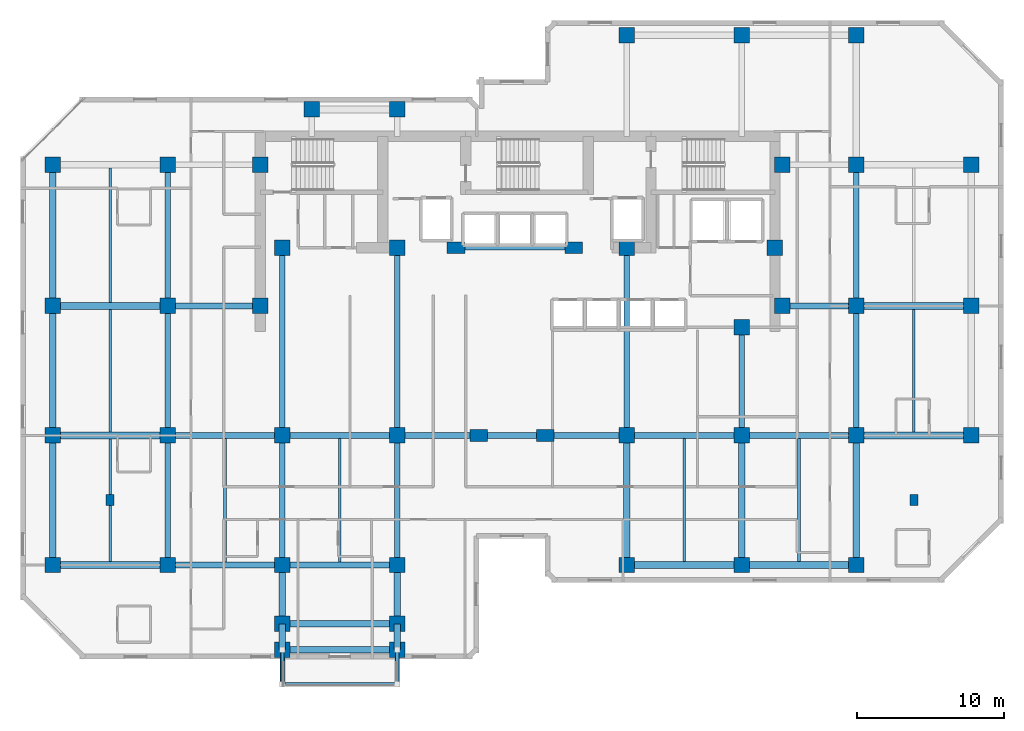
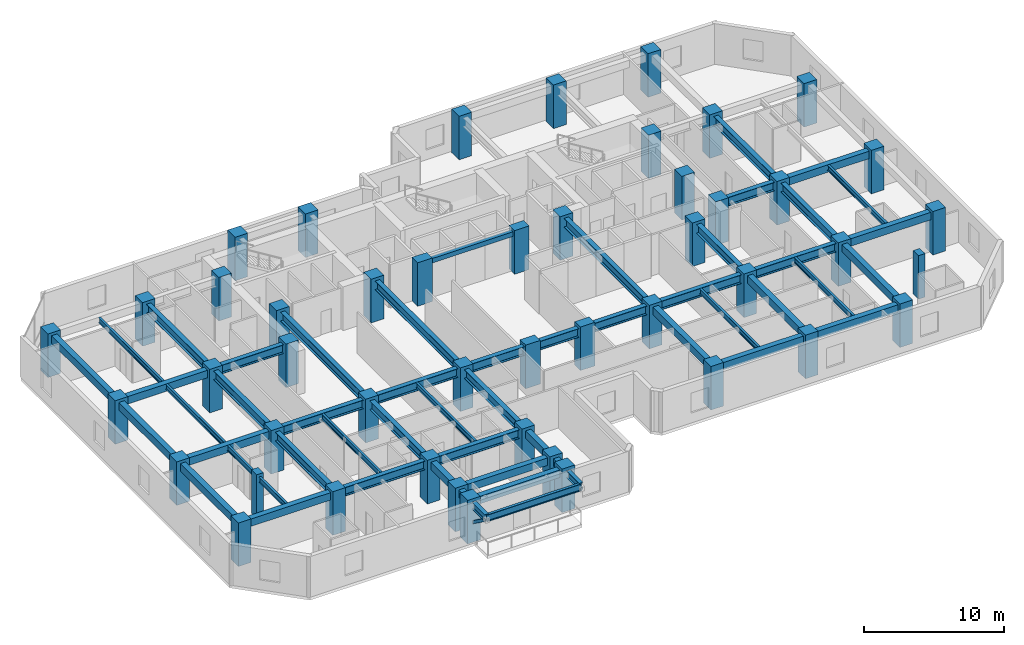
# One storey, part 1 of 11: 53 beams, 47 columns, 2 members.
"""IFC4 building model written with IfcOpenShell, lengths in metres."""

from ifc_helpers import new_model, si_unit, direction, frame, origin, origin_2d, place, context, subcontext, project, spatial, rectangle, hollow_rectangle, i_section, extrude, material, material_profile, profile_set, type_object, element, save


model = new_model("IFC4")

# Units and contexts
model_context = context("Model", 3, precision=1e-05, world=origin(), true_north=direction((0.0, 1.0)))
body_context = subcontext(model_context, "Body", "Model", "MODEL_VIEW")
ifc_project = project(units=[si_unit("LENGTHUNIT", "METRE"), si_unit("AREAUNIT", "SQUARE_METRE"), si_unit("VOLUMEUNIT", "CUBIC_METRE"), si_unit("PLANEANGLEUNIT", "RADIAN"), si_unit("MASSUNIT", "GRAM", prefix="KILO")], contexts=[model_context])

# Site, building, storey
site_placement = place(None, origin())
site = spatial("IfcSite", under=ifc_project, at=site_placement, CompositionType="ELEMENT")
building_placement = place(site_placement, origin())
building = spatial("IfcBuilding", under=site, at=building_placement, Name="Kestravale Grand Hotel", CompositionType="ELEMENT")
storey_placement = place(building_placement, frame((0.0, 0.0, 168.800048828125)))
storey = spatial("IfcBuildingStorey", under=building, at=storey_placement, Name="L42", CompositionType="ELEMENT", Elevation=168.800048828125)

# Columns
ifc_material_1 = material(Name="Concrete f'c 60 MPa", Category="concrete")
ifc_material_profile_1 = material_profile(ifc_material_1, rectangle(XDim=1.050048828125, YDim=1.050048828125, at=origin_2d()))
ifc_profile_set_1 = profile_set([ifc_material_profile_1], Name="Concrete f'c 60 MPa")
column_type_1 = type_object("IfcColumnType", Name="C-Z3-1050", PredefinedType="COLUMN", material=ifc_profile_set_1)
for number, where, z_axis, x_axis, name in (
    (1, (7.800048828125, 11.199951171875, 0.0), (0.0, 0.0, 1.0), (1.0, 0.0, 0.0), "L42 column 2-C"),
    (2, (7.800048828125, 20.0, 0.0), (0.0, 0.0, 1.0), (1.0, 0.0, 0.0), "L42 column 2-D"),
    (3, (7.800048828125, 28.800048828125, 0.0), (0.0, 0.0, 1.0), (1.0, 0.0, 0.0), "L42 column 2-E"),
    (4, (7.800048828125, 38.39990234375, 0.0), (0.0, 0.0, 1.0), (1.0, 0.0, 0.0), "L42 column 2-F"),
    (5, (15.60009765625, 11.199951171875, 0.0), (0.0, 0.0, 1.0), (1.0, 0.0, 0.0), "L42 column 3-C"),
    (6, (15.60009765625, 20.0, 0.0), (0.0, 0.0, 1.0), (1.0, 0.0, 0.0), "L42 column 3-D"),
    (7, (15.60009765625, 28.800048828125, 0.0), (0.0, 0.0, 1.0), (1.0, 0.0, 0.0), "L42 column 3-E"),
    (8, (15.60009765625, 38.39990234375, 0.0), (0.0, 0.0, 1.0), (1.0, 0.0, 0.0), "L42 column 3-F"),
    (9, (23.39990234375, 11.199951171875, 0.0), (0.0, 0.0, 1.0), (1.0, 0.0, 0.0), "L42 column 4-C"),
    (10, (23.39990234375, 20.0, 0.0), (0.0, 0.0, 1.0), (1.0, 0.0, 0.0), "L42 column 4-D"),
    (11, (31.199951171875, 11.199951171875, 0.0), (0.0, 0.0, 1.0), (1.0, 0.0, 0.0), "L42 column 5-C"),
    (12, (31.199951171875, 20.0, 0.0), (0.0, 0.0, 1.0), (1.0, 0.0, 0.0), "L42 column 5-D"),
    (13, (46.800048828125, 11.199951171875, 0.0), (0.0, 0.0, 1.0), (1.0, 0.0, 0.0), "L42 column 8-C"),
    (14, (46.800048828125, 20.0, 0.0), (0.0, 0.0, 1.0), (1.0, 0.0, 0.0), "L42 column 8-D"),
    (15, (46.800048828125, 47.199951171875, 0.0), (0.0, 0.0, 1.0), (1.0, 0.0, 0.0), "L42 column 8-G"),
    (16, (54.60009765625, 11.199951171875, 0.0), (0.0, 0.0, 1.0), (1.0, 0.0, 0.0), "L42 column 9-C"),
    (17, (54.60009765625, 20.0, 0.0), (0.0, 0.0, 1.0), (1.0, 0.0, 0.0), "L42 column 9-D"),
    (18, (54.60009765625, 47.199951171875, 0.0), (0.0, 0.0, 1.0), (1.0, 0.0, 0.0), "L42 column 9-G"),
    (19, (62.39990234375, 11.199951171875, 0.0), (0.0, 0.0, 1.0), (1.0, 0.0, 0.0), "L42 column 10-C"),
    (20, (62.39990234375, 20.0, 0.0), (0.0, 0.0, 1.0), (1.0, 0.0, 0.0), "L42 column 10-D"),
    (21, (62.39990234375, 28.800048828125, 0.0), (0.0, 0.0, 1.0), (1.0, 0.0, 0.0), "L42 column 10-E"),
    (22, (62.39990234375, 38.39990234375, 0.0), (0.0, 0.0, 1.0), (1.0, 0.0, 0.0), "L42 column 10-F"),
    (23, (62.39990234375, 47.199951171875, 0.0), (0.0, 0.0, 1.0), (1.0, 0.0, 0.0), "L42 column 10-G"),
    (24, (70.199951171875, 20.0, 0.0), (0.0, 0.0, 1.0), (1.0, 0.0, 0.0), "L42 column 11-D"),
    (25, (70.199951171875, 28.800048828125, 0.0), (0.0, 0.0, 1.0), (1.0, 0.0, 0.0), "L42 column 11-E"),
    (26, (70.199951171875, 38.39990234375, 0.0), (0.0, 0.0, 1.0), (1.0, 0.0, 0.0), "L42 column 11-F"),
    (27, (21.89990234375, 28.800048828125, 0.0), (0.0, 0.0, 1.0), (1.0, 0.0, 0.0), "L42 column CW-E"),
    (28, (21.89990234375, 38.39990234375, 0.0), (0.0, 0.0, 1.0), (1.0, 0.0, 0.0), "L42 column CW-F"),
    (29, (57.35009765625, 28.800048828125, 0.0), (0.0, 0.0, 1.0), (1.0, 0.0, 0.0), "L42 column CE-E"),
    (30, (57.35009765625, 38.39990234375, 0.0), (0.0, 0.0, 1.0), (1.0, 0.0, 0.0), "L42 column CE-F"),
    (31, (23.39990234375, 32.75, 0.0), (0.0, 0.0, 1.0), (1.0, 0.0, 0.0), "L42 column 4-CS"),
    (32, (31.199951171875, 32.75, 0.0), (0.0, 0.0, 1.0), (1.0, 0.0, 0.0), "L42 column 5-CS"),
    (33, (46.800048828125, 32.75, 0.0), (0.0, 0.0, 1.0), (1.0, 0.0, 0.0), "L42 column 8-CS"),
    (34, (54.60009765625, 27.35009765625, 0.0), (0.0, 0.0, 1.0), (1.0, 0.0, 0.0), "L42 column 9-CS"),
    (35, (56.85009765625, 32.75, 0.0), (0.0, 0.0, 1.0), (1.0, 0.0, 0.0), "L42 column 9C-CS"),
    (36, (23.39990234375, 7.199951171875, 0.0), (0.0, 0.0, 1.0), (1.0, 0.0, 0.0), "L42 column 4-BS"),
    (37, (31.199951171875, 7.199951171875, 0.0), (0.0, 0.0, 1.0), (1.0, 0.0, 0.0), "L42 column 5-BS"),
    (38, (25.39990234375, 42.14990234375, 0.0), (0.0, 0.0, 1.0), (1.0, 0.0, 0.0), "L42 column 4-FN"),
    (39, (31.199951171875, 42.14990234375, 0.0), (0.0, 0.0, 1.0), (1.0, 0.0, 0.0), "L42 column 5-FN"),
    (40, (23.39990234375, 5.449951171875, 0.0), (0.0, 0.0, 1.0), (1.0, 0.0, 0.0), "L42 column 4-B1S"),
    (41, (31.199951171875, 5.449951171875, 0.0), (0.0, 0.0, 1.0), (1.0, 0.0, 0.0), "L42 column 5-B1S"),
):
    element("IfcColumn", number, at=place(storey_placement, frame(where, z_axis=z_axis, x_axis=x_axis)), inside=storey, type_object=column_type_1, Name=name, PredefinedType="COLUMN", context=body_context, shape_type="SweptSolid", body=[
        extrude(rectangle(XDim=1.050048828125, YDim=1.050048828125, at=origin_2d()), origin(), (0.0, 0.0, 1.0), 3.800048828125),
    ])
ifc_material_2 = material(Name="Concrete f'c 60 MPa", Category="concrete")
ifc_material_profile_2 = material_profile(ifc_material_2, rectangle(XDim=1.199951171875, YDim=0.800048828125, at=origin_2d()))
ifc_profile_set_2 = profile_set([ifc_material_profile_2], Name="Concrete f'c 60 MPa")
column_type_2 = type_object("IfcColumnType", Name="C-Z3-1200X800", PredefinedType="COLUMN", material=ifc_profile_set_2)
for number, where, z_axis, x_axis, name in (
    (42, (36.75, 20.0, 0.0), (0.0, 0.0, 1.0), (1.0, 0.0, 0.0), "L42 column 6-D"),
    (43, (41.25, 20.0, 0.0), (0.0, 0.0, 1.0), (1.0, 0.0, 0.0), "L42 column 7-D"),
    (44, (35.199951171875, 32.75, 0.0), (0.0, 0.0, 1.0), (1.0, 0.0, 0.0), "L42 column 6C-CS"),
    (45, (43.199951171875, 32.75, 0.0), (0.0, 0.0, 1.0), (1.0, 0.0, 0.0), "L42 column 7C-CS"),
):
    element("IfcColumn", number, at=place(storey_placement, frame(where, z_axis=z_axis, x_axis=x_axis)), inside=storey, type_object=column_type_2, Name=name, PredefinedType="COLUMN", context=body_context, shape_type="SweptSolid", body=[
        extrude(rectangle(XDim=1.199951171875, YDim=0.800048828125, at=origin_2d()), origin(), (0.0, 0.0, 1.0), 3.800048828125),
    ])
ifc_material_3 = material(Name="Precast concrete f'c 45 MPa", Category="concrete")
ifc_material_profile_3 = material_profile(ifc_material_3, rectangle(XDim=0.550048828125, YDim=0.75, at=origin_2d()))
ifc_profile_set_3 = profile_set([ifc_material_profile_3], Name="Precast concrete f'c 45 MPa")
column_type_3 = type_object("IfcColumnType", Name="C-Z3-PIL750", PredefinedType="PILASTER", material=ifc_profile_set_3)
for number, where, z_axis, x_axis, name in (
    (46, (11.699951171875, 15.60009765625, 0.0), (0.0, 0.0, 1.0), (1.0, 0.0, 0.0), "L42 Art Deco fluted pilaster P1"),
    (47, (66.300048828125, 15.60009765625, 0.0), (0.0, 0.0, 1.0), (1.0, 0.0, 0.0), "L42 Art Deco fluted pilaster P2"),
):
    element("IfcColumn", number, at=place(storey_placement, frame(where, z_axis=z_axis, x_axis=x_axis)), inside=storey, type_object=column_type_3, Name=name, PredefinedType="PILASTER", context=body_context, shape_type="SweptSolid", body=[
        extrude(rectangle(XDim=0.550048828125, YDim=0.75, at=origin_2d()), origin(), (0.0, 0.0, 1.0), 3.800048828125),
    ])

# Beams
ifc_material_4 = material(Name="Steel ASTM A992 Grade 50", Category="steel")
ifc_material_profile_4 = material_profile(ifc_material_4, i_section(OverallWidth=0.19091796875, OverallDepth=0.45703125, WebThickness=0.009033203125, FlangeThickness=0.014404296875, FilletRadius=0.015380859375, at=origin_2d()))
ifc_profile_set_4 = profile_set([ifc_material_profile_4], Name="Steel ASTM A992 Grade 50")
beam_type_1 = type_object("IfcBeamType", Name="B-FLR-JST18", PredefinedType="JOIST", material=ifc_profile_set_4)
for number, where, z_axis, x_axis, name in (
    (48, (11.699951171875, 11.425048828125, 3.321533203125), (0.0, 1.0, 0.0), (-1.0, 0.0, 0.0), "L42 floor joist 2-3/C-D #1"),
    (49, (11.699951171875, 20.22509765625, 3.321533203125), (0.0, 1.0, 0.0), (-1.0, 0.0, 0.0), "L42 floor joist 2-3/D-E #1"),
):
    element("IfcBeam", number, at=place(storey_placement, frame(where, z_axis=z_axis, x_axis=x_axis)), inside=storey, type_object=beam_type_1, Name=name, PredefinedType="JOIST", context=body_context, shape_type="SweptSolid", body=[
        extrude(i_section(OverallWidth=0.19091796875, OverallDepth=0.45703125, WebThickness=0.009033203125, FlangeThickness=0.014404296875, FilletRadius=0.015380859375, at=origin_2d()), origin(), (0.0, 0.0, 1.0), 8.349853515625),
    ])
beam_1_placement = place(storey_placement, frame((11.699951171875, 29.02490234375, 3.321533203125), z_axis=(0.0, 1.0, 0.0), x_axis=(-1.0, 0.0, 0.0)))
element("IfcBeam", 50, at=beam_1_placement, inside=storey, type_object=beam_type_1, Name="L42 floor joist 2-3/E-F #1", PredefinedType="JOIST", context=body_context, shape_type="SweptSolid", body=[
    extrude(i_section(OverallWidth=0.19091796875, OverallDepth=0.45703125, WebThickness=0.009033203125, FlangeThickness=0.014404296875, FilletRadius=0.015380859375, at=origin_2d()), origin(), (0.0, 0.0, 1.0), 9.150146484375),
])
for number, where, z_axis, x_axis, name in (
    (51, (19.5, 11.390380859375, 3.321533203125), (0.0, 1.0, 0.0), (-1.0, 0.0, 0.0), "L42 floor joist 3-4/C-D #1"),
    (52, (27.300048828125, 11.390380859375, 3.321533203125), (0.0, 1.0, 0.0), (-1.0, 0.0, 0.0), "L42 floor joist 4-5/C-D #1"),
):
    element("IfcBeam", number, at=place(storey_placement, frame(where, z_axis=z_axis, x_axis=x_axis)), inside=storey, type_object=beam_type_1, Name=name, PredefinedType="JOIST", context=body_context, shape_type="SweptSolid", body=[
        extrude(i_section(OverallWidth=0.19091796875, OverallDepth=0.45703125, WebThickness=0.009033203125, FlangeThickness=0.014404296875, FilletRadius=0.015380859375, at=origin_2d()), origin(), (0.0, 0.0, 1.0), 8.419189453125),
    ])
for number, where, z_axis, x_axis, name in (
    (53, (50.699951171875, 11.425048828125, 3.321533203125), (0.0, 1.0, 0.0), (-1.0, 0.0, 0.0), "L42 floor joist 8-9/C-D #1"),
    (54, (58.5, 11.425048828125, 3.321533203125), (0.0, 1.0, 0.0), (-1.0, 0.0, 0.0), "L42 floor joist 9-10/C-D #1"),
):
    element("IfcBeam", number, at=place(storey_placement, frame(where, z_axis=z_axis, x_axis=x_axis)), inside=storey, type_object=beam_type_1, Name=name, PredefinedType="JOIST", context=body_context, shape_type="SweptSolid", body=[
        extrude(i_section(OverallWidth=0.19091796875, OverallDepth=0.45703125, WebThickness=0.009033203125, FlangeThickness=0.014404296875, FilletRadius=0.015380859375, at=origin_2d()), origin(), (0.0, 0.0, 1.0), 8.384521484375),
    ])
beam_2_placement = place(storey_placement, frame((66.300048828125, 20.22509765625, 3.321533203125), z_axis=(0.0, 1.0, 0.0), x_axis=(-1.0, 0.0, 0.0)))
element("IfcBeam", 55, at=beam_2_placement, inside=storey, type_object=beam_type_1, Name="L42 floor joist 10-11/D-E #1", PredefinedType="JOIST", context=body_context, shape_type="SweptSolid", body=[
    extrude(i_section(OverallWidth=0.19091796875, OverallDepth=0.45703125, WebThickness=0.009033203125, FlangeThickness=0.014404296875, FilletRadius=0.015380859375, at=origin_2d()), origin(), (0.0, 0.0, 1.0), 8.349853515625),
])
ifc_material_5 = material(Name="Concrete f'c 45 MPa", Category="concrete")
ifc_material_profile_5 = material_profile(ifc_material_5, rectangle(XDim=0.300048828125, YDim=0.39990234375, at=origin_2d()))
ifc_profile_set_5 = profile_set([ifc_material_profile_5], Name="Concrete f'c 45 MPa")
beam_type_2 = type_object("IfcBeamType", Name="B-FLR-LNT400", PredefinedType="LINTEL", material=ifc_profile_set_5)
beam_3_placement = place(storey_placement, frame((35.199951171875, 32.75, 3.349853515625), z_axis=(1.0, 0.0, 0.0), x_axis=(0.0, 1.0, 0.0)))
element("IfcBeam", 56, at=beam_3_placement, inside=storey, type_object=beam_type_2, Name="L42 core portal header lintel", PredefinedType="LINTEL", context=body_context, shape_type="SweptSolid", body=[
    extrude(rectangle(XDim=0.300048828125, YDim=0.39990234375, at=origin_2d()), origin(), (0.0, 0.0, 1.0), 8.0),
])
ifc_material_6 = material(Name="Concrete f'c 45 MPa", Category="concrete")
ifc_material_profile_6 = material_profile(ifc_material_6, rectangle(XDim=0.449951171875, YDim=0.64990234375, at=origin_2d()))
ifc_profile_set_6 = profile_set([ifc_material_profile_6], Name="Concrete f'c 45 MPa")
beam_type_3 = type_object("IfcBeamType", Name="B-FLR-RC650", PredefinedType="SPANDREL", material=ifc_profile_set_6)
for number, where, z_axis, x_axis, name in (
    (57, (7.800048828125, 11.199951171875, 3.224853515625), (1.0, 0.0, 0.0), (0.0, 1.0, 0.0), "L42 spandrel C:2-3"),
    (58, (46.800048828125, 11.199951171875, 3.224853515625), (1.0, 0.0, 0.0), (0.0, 1.0, 0.0), "L42 spandrel C:8-9"),
):
    element("IfcBeam", number, at=place(storey_placement, frame(where, z_axis=z_axis, x_axis=x_axis)), inside=storey, type_object=beam_type_3, Name=name, PredefinedType="SPANDREL", context=body_context, shape_type="SweptSolid", body=[
        extrude(rectangle(XDim=0.449951171875, YDim=0.64990234375, at=origin_2d()), origin(), (0.0, 0.0, 1.0), 7.800048828125),
    ])
beam_4_placement = place(storey_placement, frame((54.60009765625, 11.199951171875, 3.224853515625), z_axis=(1.0, 0.0, 0.0), x_axis=(0.0, 1.0, 0.0)))
element("IfcBeam", 59, at=beam_4_placement, inside=storey, type_object=beam_type_3, Name="L42 spandrel C:9-10", PredefinedType="SPANDREL", context=body_context, shape_type="SweptSolid", body=[
    extrude(rectangle(XDim=0.449951171875, YDim=0.64990234375, at=origin_2d()), origin(), (0.0, 0.0, 1.0), 7.7998046875),
])
for number, where, z_axis, x_axis, name in (
    (60, (7.800048828125, 20.0, 3.224853515625), (1.0, 0.0, 0.0), (0.0, 1.0, 0.0), "L42 spandrel D:2-3"),
    (61, (62.39990234375, 20.0, 3.224853515625), (1.0, 0.0, 0.0), (0.0, 1.0, 0.0), "L42 spandrel D:10-11"),
    (62, (7.800048828125, 28.800048828125, 3.224853515625), (1.0, 0.0, 0.0), (0.0, 1.0, 0.0), "L42 spandrel E:2-3"),
    (63, (62.39990234375, 28.800048828125, 3.224853515625), (1.0, 0.0, 0.0), (0.0, 1.0, 0.0), "L42 spandrel E:10-11"),
    (64, (23.39990234375, 5.449951171875, 3.224853515625), (1.0, 0.0, 0.0), (0.0, 1.0, 0.0), "L42 perimeter tie spandrel B1S:4-5"),
    (65, (23.39990234375, 7.199951171875, 3.224853515625), (1.0, 0.0, 0.0), (0.0, 1.0, 0.0), "L42 perimeter tie spandrel BS:4-5"),
):
    element("IfcBeam", number, at=place(storey_placement, frame(where, z_axis=z_axis, x_axis=x_axis)), inside=storey, type_object=beam_type_3, Name=name, PredefinedType="SPANDREL", context=body_context, shape_type="SweptSolid", body=[
        extrude(rectangle(XDim=0.449951171875, YDim=0.64990234375, at=origin_2d()), origin(), (0.0, 0.0, 1.0), 7.800048828125),
    ])
for number, where, z_axis, x_axis, name in (
    (66, (7.800048828125, 11.199951171875, 3.224853515625), (0.0, 1.0, 0.0), (-1.0, 0.0, 0.0), "L42 spandrel 2:C-D"),
    (67, (7.800048828125, 20.0, 3.224853515625), (0.0, 1.0, 0.0), (-1.0, 0.0, 0.0), "L42 spandrel 2:D-E"),
):
    element("IfcBeam", number, at=place(storey_placement, frame(where, z_axis=z_axis, x_axis=x_axis)), inside=storey, type_object=beam_type_3, Name=name, PredefinedType="SPANDREL", context=body_context, shape_type="SweptSolid", body=[
        extrude(rectangle(XDim=0.449951171875, YDim=0.64990234375, at=origin_2d()), origin(), (0.0, 0.0, 1.0), 8.800048828125),
    ])
beam_5_placement = place(storey_placement, frame((7.800048828125, 28.800048828125, 3.224853515625), z_axis=(0.0, 1.0, 0.0), x_axis=(-1.0, 0.0, 0.0)))
element("IfcBeam", 68, at=beam_5_placement, inside=storey, type_object=beam_type_3, Name="L42 spandrel 2:E-F", PredefinedType="SPANDREL", context=body_context, shape_type="SweptSolid", body=[
    extrude(rectangle(XDim=0.449951171875, YDim=0.64990234375, at=origin_2d()), origin(), (0.0, 0.0, 1.0), 9.599853515625),
])
beam_6_placement = place(storey_placement, frame((23.39990234375, 5.449951171875, 3.224853515625), z_axis=(0.0, 1.0, 0.0), x_axis=(-1.0, 0.0, 0.0)))
element("IfcBeam", 69, at=beam_6_placement, inside=storey, type_object=beam_type_3, Name="L42 spandrel 4:B1S-BS", PredefinedType="SPANDREL", context=body_context, shape_type="SweptSolid", body=[
    extrude(rectangle(XDim=0.449951171875, YDim=0.64990234375, at=origin_2d()), origin(), (0.0, 0.0, 1.0), 1.75),
])
beam_7_placement = place(storey_placement, frame((23.39990234375, 7.199951171875, 3.224853515625), z_axis=(0.0, 1.0, 0.0), x_axis=(-1.0, 0.0, 0.0)))
element("IfcBeam", 70, at=beam_7_placement, inside=storey, type_object=beam_type_3, Name="L42 spandrel 4:BS-C", PredefinedType="SPANDREL", context=body_context, shape_type="SweptSolid", body=[
    extrude(rectangle(XDim=0.449951171875, YDim=0.64990234375, at=origin_2d()), origin(), (0.0, 0.0, 1.0), 4.0),
])
beam_8_placement = place(storey_placement, frame((31.199951171875, 5.449951171875, 3.224853515625), z_axis=(0.0, 1.0, 0.0), x_axis=(-1.0, 0.0, 0.0)))
element("IfcBeam", 71, at=beam_8_placement, inside=storey, type_object=beam_type_3, Name="L42 spandrel 5:B1S-BS", PredefinedType="SPANDREL", context=body_context, shape_type="SweptSolid", body=[
    extrude(rectangle(XDim=0.449951171875, YDim=0.64990234375, at=origin_2d()), origin(), (0.0, 0.0, 1.0), 1.75),
])
beam_9_placement = place(storey_placement, frame((31.199951171875, 7.199951171875, 3.224853515625), z_axis=(0.0, 1.0, 0.0), x_axis=(-1.0, 0.0, 0.0)))
element("IfcBeam", 72, at=beam_9_placement, inside=storey, type_object=beam_type_3, Name="L42 spandrel 5:BS-C", PredefinedType="SPANDREL", context=body_context, shape_type="SweptSolid", body=[
    extrude(rectangle(XDim=0.449951171875, YDim=0.64990234375, at=origin_2d()), origin(), (0.0, 0.0, 1.0), 4.0),
])
for number, where, z_axis, x_axis, name in (
    (73, (46.800048828125, 11.199951171875, 3.224853515625), (0.0, 1.0, 0.0), (-1.0, 0.0, 0.0), "L42 spandrel 8:C-D"),
    (74, (54.60009765625, 11.199951171875, 3.224853515625), (0.0, 1.0, 0.0), (-1.0, 0.0, 0.0), "L42 spandrel 9:C-D"),
    (75, (62.39990234375, 11.199951171875, 3.224853515625), (0.0, 1.0, 0.0), (-1.0, 0.0, 0.0), "L42 spandrel 10:C-D"),
):
    element("IfcBeam", number, at=place(storey_placement, frame(where, z_axis=z_axis, x_axis=x_axis)), inside=storey, type_object=beam_type_3, Name=name, PredefinedType="SPANDREL", context=body_context, shape_type="SweptSolid", body=[
        extrude(rectangle(XDim=0.449951171875, YDim=0.64990234375, at=origin_2d()), origin(), (0.0, 0.0, 1.0), 8.800048828125),
    ])
ifc_material_7 = material(Name="Steel ASTM A992 Grade 50", Category="steel")
ifc_material_profile_7 = material_profile(ifc_material_7, i_section(OverallWidth=0.324951171875, OverallDepth=0.612060546875, WebThickness=0.0126953125, FlangeThickness=0.01904296875, FilletRadius=0.018798828125, at=origin_2d()))
ifc_profile_set_7 = profile_set([ifc_material_profile_7], Name="Steel ASTM A992 Grade 50")
beam_type_4 = type_object("IfcBeamType", Name="B-FLR-W24A", PredefinedType="SPANDREL", material=ifc_profile_set_7)
for number, where, z_axis, x_axis, name in (
    (76, (23.39990234375, 5.449951171875, 3.223876953125), (0.0, -1.0, 0.0), (1.0, 0.0, 0.0), "L43 terrace cantilever beam 1"),
    (77, (31.199951171875, 5.449951171875, 3.223876953125), (0.0, -1.0, 0.0), (1.0, 0.0, 0.0), "L43 terrace cantilever beam 2"),
):
    element("IfcBeam", number, at=place(storey_placement, frame(where, z_axis=z_axis, x_axis=x_axis)), inside=storey, type_object=beam_type_4, Name=name, PredefinedType="SPANDREL", context=body_context, shape_type="SweptSolid", body=[
        extrude(i_section(OverallWidth=0.324951171875, OverallDepth=0.612060546875, WebThickness=0.0126953125, FlangeThickness=0.01904296875, FilletRadius=0.018798828125, at=origin_2d()), origin(), (0.0, 0.0, 1.0), 2.349853515625),
    ])
ifc_material_8 = material(Name="Steel ASTM A992 Grade 50", Category="steel")
ifc_material_profile_8 = material_profile(ifc_material_8, i_section(OverallWidth=0.22900390625, OverallDepth=0.612060546875, WebThickness=0.011962890625, FlangeThickness=0.01953125, FilletRadius=0.019287109375, at=origin_2d()))
ifc_profile_set_8 = profile_set([ifc_material_profile_8], Name="Steel ASTM A992 Grade 50")
beam_type_5 = type_object("IfcBeamType", Name="B-FLR-W24B", PredefinedType="SPANDREL", material=ifc_profile_set_8)
beam_10_placement = place(storey_placement, frame((23.39990234375, 3.10009765625, 3.223876953125), z_axis=(1.0, 0.0, 0.0), x_axis=(0.0, 1.0, 0.0)))
element("IfcBeam", 78, at=beam_10_placement, inside=storey, type_object=beam_type_5, Name="L43 terrace edge spandrel", PredefinedType="SPANDREL", context=body_context, shape_type="SweptSolid", body=[
    extrude(i_section(OverallWidth=0.22900390625, OverallDepth=0.612060546875, WebThickness=0.011962890625, FlangeThickness=0.01953125, FilletRadius=0.019287109375, at=origin_2d()), origin(), (0.0, 0.0, 1.0), 7.800048828125),
])
ifc_material_9 = material(Name="Steel ASTM A992 Grade 50", Category="steel")
ifc_material_profile_9 = material_profile(ifc_material_9, i_section(OverallWidth=0.381103515625, OverallDepth=0.77197265625, WebThickness=0.0166015625, FlangeThickness=0.027099609375, FilletRadius=0.023681640625, at=origin_2d()))
ifc_profile_set_9 = profile_set([ifc_material_profile_9], Name="Steel ASTM A992 Grade 50")
beam_type_6 = type_object("IfcBeamType", Name="B-GRD-W30", PredefinedType="BEAM", material=ifc_profile_set_9)
beam_11_placement = place(storey_placement, frame((15.60009765625, 11.199951171875, 3.1640625), z_axis=(1.0, 0.0, 0.0), x_axis=(0.0, 1.0, 0.0)))
element("IfcBeam", 79, at=beam_11_placement, inside=storey, type_object=beam_type_6, Name="L42 girder C:3-4", PredefinedType="BEAM", context=body_context, shape_type="SweptSolid", body=[
    extrude(i_section(OverallWidth=0.381103515625, OverallDepth=0.77197265625, WebThickness=0.0166015625, FlangeThickness=0.027099609375, FilletRadius=0.023681640625, at=origin_2d()), origin(), (0.0, 0.0, 1.0), 7.7998046875),
])
beam_12_placement = place(storey_placement, frame((23.39990234375, 11.199951171875, 3.1640625), z_axis=(1.0, 0.0, 0.0), x_axis=(0.0, 1.0, 0.0)))
element("IfcBeam", 80, at=beam_12_placement, inside=storey, type_object=beam_type_6, Name="L42 girder C:4-5", PredefinedType="BEAM", context=body_context, shape_type="SweptSolid", body=[
    extrude(i_section(OverallWidth=0.381103515625, OverallDepth=0.77197265625, WebThickness=0.0166015625, FlangeThickness=0.027099609375, FilletRadius=0.023681640625, at=origin_2d()), origin(), (0.0, 0.0, 1.0), 7.800048828125),
])
beam_13_placement = place(storey_placement, frame((15.60009765625, 20.0, 3.1640625), z_axis=(1.0, 0.0, 0.0), x_axis=(0.0, 1.0, 0.0)))
element("IfcBeam", 81, at=beam_13_placement, inside=storey, type_object=beam_type_6, Name="L42 girder D:3-4", PredefinedType="BEAM", context=body_context, shape_type="SweptSolid", body=[
    extrude(i_section(OverallWidth=0.381103515625, OverallDepth=0.77197265625, WebThickness=0.0166015625, FlangeThickness=0.027099609375, FilletRadius=0.023681640625, at=origin_2d()), origin(), (0.0, 0.0, 1.0), 7.7998046875),
])
beam_14_placement = place(storey_placement, frame((23.39990234375, 20.0, 3.1640625), z_axis=(1.0, 0.0, 0.0), x_axis=(0.0, 1.0, 0.0)))
element("IfcBeam", 82, at=beam_14_placement, inside=storey, type_object=beam_type_6, Name="L42 girder D:4-5", PredefinedType="BEAM", context=body_context, shape_type="SweptSolid", body=[
    extrude(i_section(OverallWidth=0.381103515625, OverallDepth=0.77197265625, WebThickness=0.0166015625, FlangeThickness=0.027099609375, FilletRadius=0.023681640625, at=origin_2d()), origin(), (0.0, 0.0, 1.0), 7.800048828125),
])
beam_15_placement = place(storey_placement, frame((31.199951171875, 20.0, 3.1640625), z_axis=(1.0, 0.0, 0.0), x_axis=(0.0, 1.0, 0.0)))
element("IfcBeam", 83, at=beam_15_placement, inside=storey, type_object=beam_type_6, Name="L42 girder D:5-6", PredefinedType="BEAM", context=body_context, shape_type="SweptSolid", body=[
    extrude(i_section(OverallWidth=0.381103515625, OverallDepth=0.77197265625, WebThickness=0.0166015625, FlangeThickness=0.027099609375, FilletRadius=0.023681640625, at=origin_2d()), origin(), (0.0, 0.0, 1.0), 5.550048828125),
])
beam_16_placement = place(storey_placement, frame((36.75, 20.0, 3.1640625), z_axis=(1.0, 0.0, 0.0), x_axis=(0.0, 1.0, 0.0)))
element("IfcBeam", 84, at=beam_16_placement, inside=storey, type_object=beam_type_6, Name="L42 girder D:6-7", PredefinedType="BEAM", context=body_context, shape_type="SweptSolid", body=[
    extrude(i_section(OverallWidth=0.381103515625, OverallDepth=0.77197265625, WebThickness=0.0166015625, FlangeThickness=0.027099609375, FilletRadius=0.023681640625, at=origin_2d()), origin(), (0.0, 0.0, 1.0), 4.5),
])
beam_17_placement = place(storey_placement, frame((41.25, 20.0, 3.1640625), z_axis=(1.0, 0.0, 0.0), x_axis=(0.0, 1.0, 0.0)))
element("IfcBeam", 85, at=beam_17_placement, inside=storey, type_object=beam_type_6, Name="L42 girder D:7-8", PredefinedType="BEAM", context=body_context, shape_type="SweptSolid", body=[
    extrude(i_section(OverallWidth=0.381103515625, OverallDepth=0.77197265625, WebThickness=0.0166015625, FlangeThickness=0.027099609375, FilletRadius=0.023681640625, at=origin_2d()), origin(), (0.0, 0.0, 1.0), 5.550048828125),
])
beam_18_placement = place(storey_placement, frame((46.800048828125, 20.0, 3.1640625), z_axis=(1.0, 0.0, 0.0), x_axis=(0.0, 1.0, 0.0)))
element("IfcBeam", 86, at=beam_18_placement, inside=storey, type_object=beam_type_6, Name="L42 girder D:8-9", PredefinedType="BEAM", context=body_context, shape_type="SweptSolid", body=[
    extrude(i_section(OverallWidth=0.381103515625, OverallDepth=0.77197265625, WebThickness=0.0166015625, FlangeThickness=0.027099609375, FilletRadius=0.023681640625, at=origin_2d()), origin(), (0.0, 0.0, 1.0), 7.800048828125),
])
beam_19_placement = place(storey_placement, frame((54.60009765625, 20.0, 3.1640625), z_axis=(1.0, 0.0, 0.0), x_axis=(0.0, 1.0, 0.0)))
element("IfcBeam", 87, at=beam_19_placement, inside=storey, type_object=beam_type_6, Name="L42 girder D:9-10", PredefinedType="BEAM", context=body_context, shape_type="SweptSolid", body=[
    extrude(i_section(OverallWidth=0.381103515625, OverallDepth=0.77197265625, WebThickness=0.0166015625, FlangeThickness=0.027099609375, FilletRadius=0.023681640625, at=origin_2d()), origin(), (0.0, 0.0, 1.0), 7.7998046875),
])
beam_20_placement = place(storey_placement, frame((15.60009765625, 28.800048828125, 3.1640625), z_axis=(1.0, 0.0, 0.0), x_axis=(0.0, 1.0, 0.0)))
element("IfcBeam", 88, at=beam_20_placement, inside=storey, type_object=beam_type_6, Name="L42 girder E:3-CW", PredefinedType="BEAM", context=body_context, shape_type="SweptSolid", body=[
    extrude(i_section(OverallWidth=0.381103515625, OverallDepth=0.77197265625, WebThickness=0.0166015625, FlangeThickness=0.027099609375, FilletRadius=0.023681640625, at=origin_2d()), origin(), (0.0, 0.0, 1.0), 6.2998046875),
])
beam_21_placement = place(storey_placement, frame((57.35009765625, 28.800048828125, 3.1640625), z_axis=(1.0, 0.0, 0.0), x_axis=(0.0, 1.0, 0.0)))
element("IfcBeam", 89, at=beam_21_placement, inside=storey, type_object=beam_type_6, Name="L42 girder E:CE-10", PredefinedType="BEAM", context=body_context, shape_type="SweptSolid", body=[
    extrude(i_section(OverallWidth=0.381103515625, OverallDepth=0.77197265625, WebThickness=0.0166015625, FlangeThickness=0.027099609375, FilletRadius=0.023681640625, at=origin_2d()), origin(), (0.0, 0.0, 1.0), 5.0498046875),
])
for number, where, z_axis, x_axis, name in (
    (90, (15.60009765625, 11.199951171875, 3.1640625), (0.0, 1.0, 0.0), (-1.0, 0.0, 0.0), "L42 girder 3:C-D"),
    (91, (15.60009765625, 20.0, 3.1640625), (0.0, 1.0, 0.0), (-1.0, 0.0, 0.0), "L42 girder 3:D-E"),
):
    element("IfcBeam", number, at=place(storey_placement, frame(where, z_axis=z_axis, x_axis=x_axis)), inside=storey, type_object=beam_type_6, Name=name, PredefinedType="BEAM", context=body_context, shape_type="SweptSolid", body=[
        extrude(i_section(OverallWidth=0.381103515625, OverallDepth=0.77197265625, WebThickness=0.0166015625, FlangeThickness=0.027099609375, FilletRadius=0.023681640625, at=origin_2d()), origin(), (0.0, 0.0, 1.0), 8.800048828125),
    ])
beam_22_placement = place(storey_placement, frame((15.60009765625, 28.800048828125, 3.1640625), z_axis=(0.0, 1.0, 0.0), x_axis=(-1.0, 0.0, 0.0)))
element("IfcBeam", 92, at=beam_22_placement, inside=storey, type_object=beam_type_6, Name="L42 girder 3:E-F", PredefinedType="BEAM", context=body_context, shape_type="SweptSolid", body=[
    extrude(i_section(OverallWidth=0.381103515625, OverallDepth=0.77197265625, WebThickness=0.0166015625, FlangeThickness=0.027099609375, FilletRadius=0.023681640625, at=origin_2d()), origin(), (0.0, 0.0, 1.0), 9.599853515625),
])
beam_23_placement = place(storey_placement, frame((23.39990234375, 11.199951171875, 3.1640625), z_axis=(0.0, 1.0, 0.0), x_axis=(-1.0, 0.0, 0.0)))
element("IfcBeam", 93, at=beam_23_placement, inside=storey, type_object=beam_type_6, Name="L42 girder 4:C-D", PredefinedType="BEAM", context=body_context, shape_type="SweptSolid", body=[
    extrude(i_section(OverallWidth=0.381103515625, OverallDepth=0.77197265625, WebThickness=0.0166015625, FlangeThickness=0.027099609375, FilletRadius=0.023681640625, at=origin_2d()), origin(), (0.0, 0.0, 1.0), 8.800048828125),
])
beam_24_placement = place(storey_placement, frame((23.39990234375, 20.0, 3.1640625), z_axis=(0.0, 1.0, 0.0), x_axis=(-1.0, 0.0, 0.0)))
element("IfcBeam", 94, at=beam_24_placement, inside=storey, type_object=beam_type_6, Name="L42 girder 4:D-CS", PredefinedType="BEAM", context=body_context, shape_type="SweptSolid", body=[
    extrude(i_section(OverallWidth=0.381103515625, OverallDepth=0.77197265625, WebThickness=0.0166015625, FlangeThickness=0.027099609375, FilletRadius=0.023681640625, at=origin_2d()), origin(), (0.0, 0.0, 1.0), 12.75),
])
beam_25_placement = place(storey_placement, frame((31.199951171875, 11.199951171875, 3.1640625), z_axis=(0.0, 1.0, 0.0), x_axis=(-1.0, 0.0, 0.0)))
element("IfcBeam", 95, at=beam_25_placement, inside=storey, type_object=beam_type_6, Name="L42 girder 5:C-D", PredefinedType="BEAM", context=body_context, shape_type="SweptSolid", body=[
    extrude(i_section(OverallWidth=0.381103515625, OverallDepth=0.77197265625, WebThickness=0.0166015625, FlangeThickness=0.027099609375, FilletRadius=0.023681640625, at=origin_2d()), origin(), (0.0, 0.0, 1.0), 8.800048828125),
])
for number, where, z_axis, x_axis, name in (
    (96, (31.199951171875, 20.0, 3.1640625), (0.0, 1.0, 0.0), (-1.0, 0.0, 0.0), "L42 girder 5:D-CS"),
    (97, (46.800048828125, 20.0, 3.1640625), (0.0, 1.0, 0.0), (-1.0, 0.0, 0.0), "L42 girder 8:D-CS"),
):
    element("IfcBeam", number, at=place(storey_placement, frame(where, z_axis=z_axis, x_axis=x_axis)), inside=storey, type_object=beam_type_6, Name=name, PredefinedType="BEAM", context=body_context, shape_type="SweptSolid", body=[
        extrude(i_section(OverallWidth=0.381103515625, OverallDepth=0.77197265625, WebThickness=0.0166015625, FlangeThickness=0.027099609375, FilletRadius=0.023681640625, at=origin_2d()), origin(), (0.0, 0.0, 1.0), 12.75),
    ])
beam_26_placement = place(storey_placement, frame((54.60009765625, 20.0, 3.1640625), z_axis=(0.0, 1.0, 0.0), x_axis=(-1.0, 0.0, 0.0)))
element("IfcBeam", 98, at=beam_26_placement, inside=storey, type_object=beam_type_6, Name="L42 girder 9:D-CS", PredefinedType="BEAM", context=body_context, shape_type="SweptSolid", body=[
    extrude(i_section(OverallWidth=0.381103515625, OverallDepth=0.77197265625, WebThickness=0.0166015625, FlangeThickness=0.027099609375, FilletRadius=0.023681640625, at=origin_2d()), origin(), (0.0, 0.0, 1.0), 7.35009765625),
])
beam_27_placement = place(storey_placement, frame((62.39990234375, 20.0, 3.1640625), z_axis=(0.0, 1.0, 0.0), x_axis=(-1.0, 0.0, 0.0)))
element("IfcBeam", 99, at=beam_27_placement, inside=storey, type_object=beam_type_6, Name="L42 girder 10:D-E", PredefinedType="BEAM", context=body_context, shape_type="SweptSolid", body=[
    extrude(i_section(OverallWidth=0.381103515625, OverallDepth=0.77197265625, WebThickness=0.0166015625, FlangeThickness=0.027099609375, FilletRadius=0.023681640625, at=origin_2d()), origin(), (0.0, 0.0, 1.0), 8.800048828125),
])
beam_28_placement = place(storey_placement, frame((62.39990234375, 28.800048828125, 3.1640625), z_axis=(0.0, 1.0, 0.0), x_axis=(-1.0, 0.0, 0.0)))
element("IfcBeam", 100, at=beam_28_placement, inside=storey, type_object=beam_type_6, Name="L42 girder 10:E-F", PredefinedType="BEAM", context=body_context, shape_type="SweptSolid", body=[
    extrude(i_section(OverallWidth=0.381103515625, OverallDepth=0.77197265625, WebThickness=0.0166015625, FlangeThickness=0.027099609375, FilletRadius=0.023681640625, at=origin_2d()), origin(), (0.0, 0.0, 1.0), 9.599853515625),
])

# Members
ifc_material_10 = material(Name="Steel ASTM A500 Grade C", Category="steel")
ifc_material_profile_10 = material_profile(ifc_material_10, hollow_rectangle(XDim=0.25, YDim=0.25, WallThickness=0.011962890625, InnerFilletRadius=0.011962890625, OuterFilletRadius=0.02392578125, at=origin_2d()))
ifc_profile_set_10 = profile_set([ifc_material_profile_10], Name="Steel ASTM A500 Grade C")
member_type = type_object("IfcMemberType", Name="M-BLT-STR250", PredefinedType="STRUT", material=ifc_profile_set_10)
for number, where, z_axis, x_axis, name in (
    (101, (23.39990234375, 5.449951171875, 1.3740234375), (0.0, -0.810215054775, 0.586132719626), (1.0, 0.0, 0.0), "L43 terrace knee-brace strut 1"),
    (102, (31.199951171875, 5.449951171875, 1.3740234375), (0.0, -0.810215054775, 0.586132719626), (1.0, 0.0, 0.0), "L43 terrace knee-brace strut 2"),
):
    element("IfcMember", number, at=place(storey_placement, frame(where, z_axis=z_axis, x_axis=x_axis)), inside=storey, type_object=member_type, Name=name, PredefinedType="STRUT", context=body_context, shape_type="SweptSolid", body=[
        extrude(hollow_rectangle(XDim=0.25, YDim=0.25, WallThickness=0.011962890625, InnerFilletRadius=0.011962890625, OuterFilletRadius=0.02392578125, at=origin_2d()), origin(), (0.0, 0.0, 1.0), 2.900390625),
    ])

save(model, "model.ifc")
